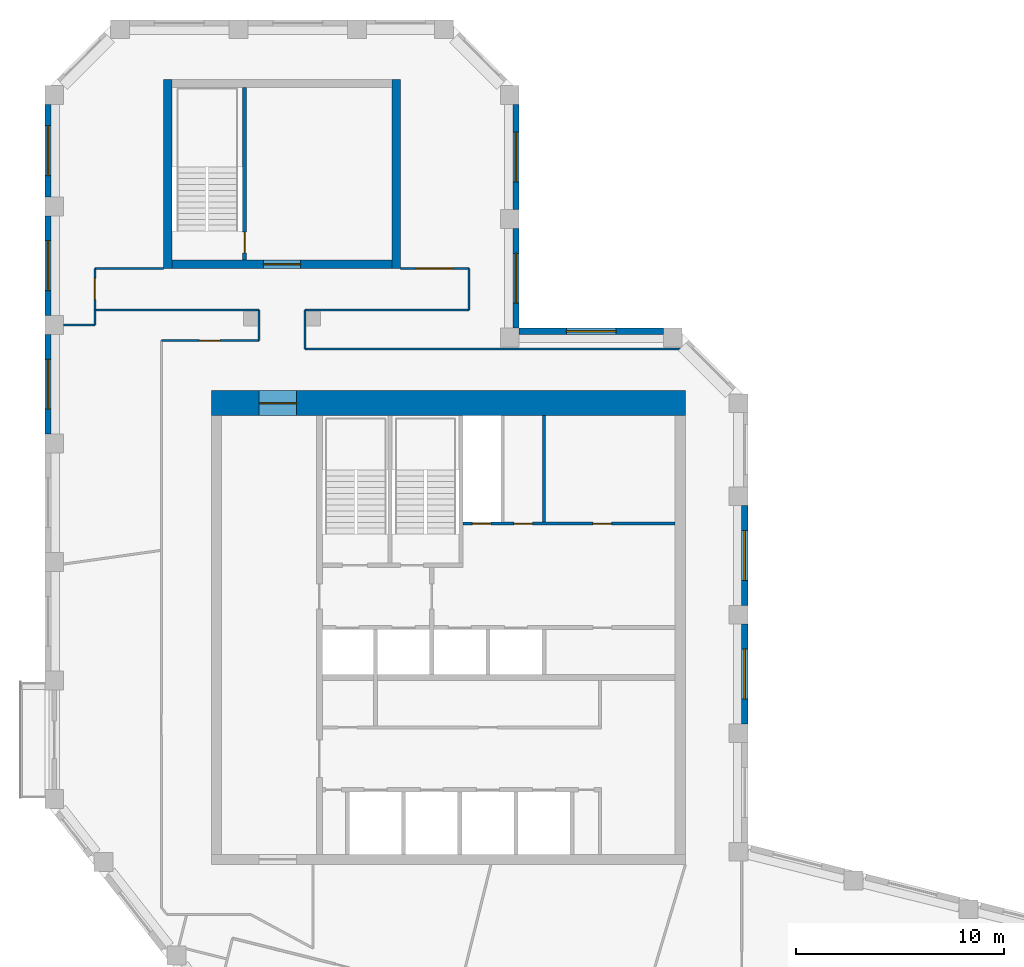
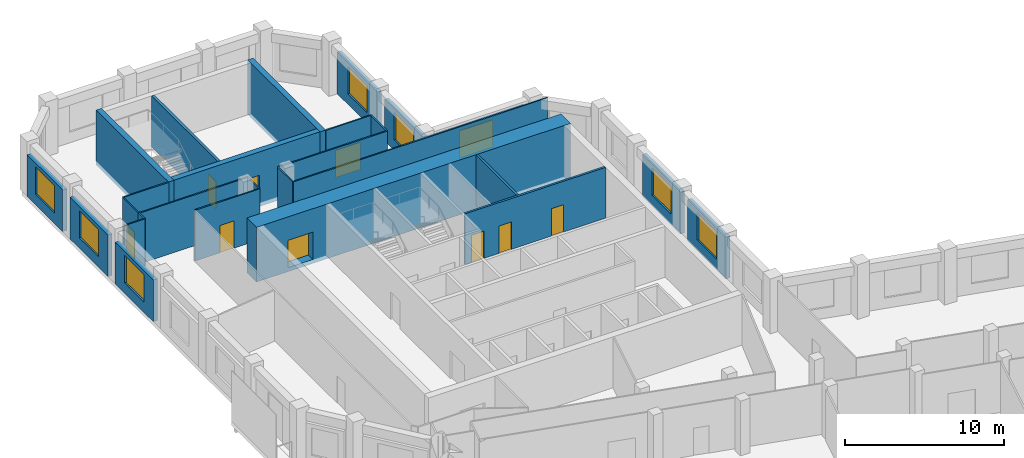
# One storey, part 6 of 8: 27 walls, 9 doors, 8 windows, 17 openings.
"""IFC4 building model written with IfcOpenShell, lengths in metres."""

from ifc_helpers import new_model, si_unit, direction, frame, frame_2d, origin, place, context, subcontext, project, spatial, rectangle, extrude, material, layer, layer_set, type_object, element, fill, save


model = new_model("IFC4")

# Units and contexts
model_context = context("Model", 3, precision=1e-05, world=origin(), true_north=direction((0.0, 1.0)))
body_context = subcontext(model_context, "Body", "Model", "MODEL_VIEW")
ifc_project = project(units=[si_unit("LENGTHUNIT", "METRE"), si_unit("AREAUNIT", "SQUARE_METRE"), si_unit("VOLUMEUNIT", "CUBIC_METRE"), si_unit("PLANEANGLEUNIT", "RADIAN"), si_unit("MASSUNIT", "GRAM", prefix="KILO")], contexts=[model_context])

# Site, building, storey
site_placement = place(None, origin())
site = spatial("IfcSite", under=ifc_project, at=site_placement, CompositionType="ELEMENT")
building_placement = place(site_placement, origin())
building = spatial("IfcBuilding", under=site, at=building_placement, Name="Meshkara Civic Tower", CompositionType="ELEMENT")
storey_placement = place(building_placement, frame((0.0, 0.0, 358.199951171875)))
storey = spatial("IfcBuildingStorey", under=building, at=storey_placement, Name="L82", CompositionType="ELEMENT", Elevation=358.199951171875)

# Wall, openings, doors
ifc_material_1 = material(Name="Blockwork", Category="masonry")
ifc_layer_1 = layer(ifc_material_1, 0.14990234375)
ifc_layer_set_1 = layer_set([ifc_layer_1], Name="Core partition 150")
wall_type_1 = type_object("IfcWallType", Name="Core partition 150", PredefinedType="PARTITIONING", material=ifc_layer_set_1)
wall_1_placement = place(storey_placement, frame((20.10009765625, 30.5, 0.0), z_axis=(0.0, 0.0, 1.0), x_axis=(1.0, 0.0, 0.0)))
wall_1 = element("IfcWall", 1, at=wall_1_placement, inside=storey, type_object=wall_type_1, Name="L82-C010", PredefinedType="PARTITIONING", context=body_context, shape_type="SweptSolid", body=[
    extrude(rectangle(XDim=10.199951171875, YDim=0.14990234375, at=frame_2d((5.10009765625, 0.0))), origin(), (0.0, 0.0, 1.0), 3.900146484375),
])
opening_1_placement = place(wall_1_placement, frame((0.449951171875, 0.0, 0.0)))
opening_1 = element("IfcOpeningElement", 2, at=opening_1_placement, cuts=wall_1, Name="Opening L82-K014", PredefinedType="OPENING", context=body_context, shape_type="SweptSolid", body=[
    extrude(rectangle(XDim=0.89990234375, YDim=2.10009765625, at=frame_2d((0.449951171875, 1.050048828125))), frame((0.0, 0.0849609375, 0.0), z_axis=(0.0, -1.0, 0.0), x_axis=(1.0, 0.0, 0.0)), (0.0, 0.0, 1.0), 0.169921875),
])
opening_2_placement = place(wall_1_placement, frame((2.449951171875, 0.0, 0.0)))
opening_2 = element("IfcOpeningElement", 3, at=opening_2_placement, cuts=wall_1, Name="Opening L82-K015", PredefinedType="OPENING", context=body_context, shape_type="SweptSolid", body=[
    extrude(rectangle(XDim=0.89990234375, YDim=2.10009765625, at=frame_2d((0.449951171875, 1.050048828125))), frame((0.0, 0.0849609375, 0.0), z_axis=(0.0, -1.0, 0.0), x_axis=(1.0, 0.0, 0.0)), (0.0, 0.0, 1.0), 0.169921875),
])
opening_3_placement = place(wall_1_placement, frame((6.25, 0.0, 0.0)))
opening_3 = element("IfcOpeningElement", 4, at=opening_3_placement, cuts=wall_1, Name="Opening L82-K016", PredefinedType="OPENING", context=body_context, shape_type="SweptSolid", body=[
    extrude(rectangle(XDim=0.89990234375, YDim=2.10009765625, at=frame_2d((0.449951171875, 1.050048828125))), frame((0.0, 0.0849609375, 0.0), z_axis=(0.0, -1.0, 0.0), x_axis=(1.0, 0.0, 0.0)), (0.0, 0.0, 1.0), 0.169921875),
])
ifc_material_2 = material(Name="Timber door leaf in steel frame", Category="steel")
door_type_1 = type_object("IfcDoorType", Name="Core room door 900", OperationType="SINGLE_SWING_LEFT", PredefinedType="DOOR", material=ifc_material_2)
door_1_placement = place(opening_3_placement, origin())
door_1 = element("IfcDoor", 5, at=door_1_placement, inside=storey, type_object=door_type_1, Name="L82-K016", OperationType="SINGLE_SWING_RIGHT", OverallHeight=2.10009765625, OverallWidth=0.89990234375, PredefinedType="DOOR", context=body_context, shape_type="SweptSolid", body=[
    extrude(rectangle(XDim=0.89990234375, YDim=2.10009765625, at=frame_2d((0.449951171875, 1.050048828125))), frame((0.0, 0.02490234375, 0.0), z_axis=(0.0, -1.0, 0.0), x_axis=(1.0, 0.0, 0.0)), (0.0, 0.0, 1.0), 0.050048828125),
])
fill(opening_3, door_1)
ifc_material_3 = material(Name="Fire-rated door leaf in steel frame", Category="steel")
door_type_2 = type_object("IfcDoorType", Name="Riser door 900", OperationType="SINGLE_SWING_LEFT", PredefinedType="DOOR", material=ifc_material_3)
door_2_placement = place(opening_1_placement, origin())
door_2 = element("IfcDoor", 6, at=door_2_placement, inside=storey, type_object=door_type_2, Name="L82-K014", OperationType="SINGLE_SWING_RIGHT", OverallHeight=2.10009765625, OverallWidth=0.89990234375, PredefinedType="DOOR", context=body_context, shape_type="SweptSolid", body=[
    extrude(rectangle(XDim=0.89990234375, YDim=2.10009765625, at=frame_2d((0.449951171875, 1.050048828125))), frame((0.0, 0.02490234375, 0.0), z_axis=(0.0, -1.0, 0.0), x_axis=(1.0, 0.0, 0.0)), (0.0, 0.0, 1.0), 0.050048828125),
])
fill(opening_1, door_2)
ifc_material_4 = material(Name="Timber door leaf in steel frame", Category="steel")
door_type_3 = type_object("IfcDoorType", Name="WC door 900", OperationType="SINGLE_SWING_LEFT", PredefinedType="DOOR", material=ifc_material_4)
door_3_placement = place(opening_2_placement, origin())
door_3 = element("IfcDoor", 7, at=door_3_placement, inside=storey, type_object=door_type_3, Name="L82-K015", OperationType="SINGLE_SWING_LEFT", OverallHeight=2.10009765625, OverallWidth=0.89990234375, PredefinedType="DOOR", context=body_context, shape_type="SweptSolid", body=[
    extrude(rectangle(XDim=0.89990234375, YDim=2.10009765625, at=frame_2d((0.449951171875, 1.050048828125))), frame((0.0, 0.02490234375, 0.0), z_axis=(0.0, -1.0, 0.0), x_axis=(1.0, 0.0, 0.0)), (0.0, 0.0, 1.0), 0.050048828125),
])
fill(opening_2, door_3)

# Wall
wall_2_placement = place(storey_placement, frame((24.0, 30.574951171875, 0.0), z_axis=(0.0, 0.0, 1.0), x_axis=(0.0, 1.0, 0.0)))
element("IfcWall", 8, at=wall_2_placement, inside=storey, type_object=wall_type_1, Name="L82-C023", PredefinedType="PARTITIONING", context=body_context, shape_type="SweptSolid", body=[
    extrude(rectangle(XDim=5.125, YDim=0.14990234375, at=frame_2d((2.5625, 0.0))), origin(), (0.0, 0.0, 1.0), 3.900146484375),
])

# Wall, opening, door
ifc_material_5 = material(Name="Concrete C50", Category="concrete")
ifc_layer_2 = layer(ifc_material_5, 1.199951171875)
ifc_layer_set_2 = layer_set([ifc_layer_2], Name="Core ring wall 1200 C50")
wall_type_2 = type_object("IfcWallType", Name="Core ring wall 1200 C50", PredefinedType="SHEAR", material=ifc_layer_set_2)
wall_3_placement = place(storey_placement, frame((8.0, 36.300048828125, -0.300048828125), z_axis=(0.0, 0.0, 1.0), x_axis=(1.0, 0.0, 0.0)))
wall_3 = element("IfcWall", 9, at=wall_3_placement, inside=storey, type_object=wall_type_2, Name="L82-C002", PredefinedType="SHEAR", context=body_context, shape_type="SweptSolid", body=[
    extrude(rectangle(XDim=22.800048828125, YDim=1.199951171875, at=frame_2d((11.39990234375, 0.0))), origin(), (0.0, 0.0, 1.0), 4.2001953125),
])
opening_4_placement = place(wall_3_placement, frame((2.300048828125, 0.0, 0.300048828125)))
opening_4 = element("IfcOpeningElement", 10, at=opening_4_placement, cuts=wall_3, Name="Opening L82-K022", PredefinedType="OPENING", context=body_context, shape_type="SweptSolid", body=[
    extrude(rectangle(XDim=1.800048828125, YDim=2.10009765625, at=frame_2d((0.89990234375, 1.050048828125))), frame((0.0, 0.60986328125, 0.0), z_axis=(0.0, -1.0, 0.0), x_axis=(1.0, 0.0, 0.0)), (0.0, 0.0, 1.0), 1.219970703125),
])
ifc_material_6 = material(Name="Fire-rated door leaf in steel frame", Category="steel")
door_type_4 = type_object("IfcDoorType", Name="Core double door 1800 EI 60", OperationType="DOUBLE_DOOR_SINGLE_SWING", PredefinedType="DOOR", material=ifc_material_6)
door_4_placement = place(opening_4_placement, origin())
door_4 = element("IfcDoor", 11, at=door_4_placement, inside=storey, type_object=door_type_4, Name="L82-K022", OperationType="DOUBLE_DOOR_SINGLE_SWING", OverallHeight=2.10009765625, OverallWidth=1.800048828125, PredefinedType="DOOR", context=body_context, shape_type="SweptSolid", body=[
    extrude(rectangle(XDim=1.800048828125, YDim=2.10009765625, at=frame_2d((0.89990234375, 1.050048828125))), frame((0.0, 0.02490234375, 0.0), z_axis=(0.0, -1.0, 0.0), x_axis=(1.0, 0.0, 0.0)), (0.0, 0.0, 1.0), 0.050048828125),
])
fill(opening_4, door_4)

# Wall
ifc_material_7 = material(Name="Corridor wall 100")
ifc_layer_3 = layer(ifc_material_7, 0.10009765625)
ifc_layer_set_3 = layer_set([ifc_layer_3], Name="Corridor wall 100")
wall_type_3 = type_object("IfcWallType", Name="Corridor wall 100", PredefinedType="PARTITIONING", material=ifc_layer_set_3)
wall_4_placement = place(storey_placement, frame((2.39990234375, 40.77001953125, 0.0), z_axis=(0.0, 0.0, 1.0), x_axis=(1.0, 0.0, 0.0)))
element("IfcWall", 12, at=wall_4_placement, inside=storey, type_object=wall_type_3, Name="L82-W001", PredefinedType="PARTITIONING", context=body_context, shape_type="SweptSolid", body=[
    extrude(rectangle(XDim=7.900146484375, YDim=0.10009765625, at=frame_2d((3.9501953125, 0.0))), origin(), (0.0, 0.0, 1.0), 3.900146484375),
])

# Wall, opening, door
wall_5_placement = place(storey_placement, frame((2.39990234375, 42.77001953125, 0.0), z_axis=(0.0, 0.0, 1.0), x_axis=(0.0, -1.0, 0.0)))
wall_5 = element("IfcWall", 13, at=wall_5_placement, inside=storey, type_object=wall_type_3, Name="L82-W002", PredefinedType="PARTITIONING", context=body_context, shape_type="SweptSolid", body=[
    extrude(rectangle(XDim=2.0, YDim=0.10009765625, at=frame_2d((1.0, 0.0))), origin(), (0.0, 0.0, 1.0), 3.900146484375),
])
opening_5_placement = place(wall_5_placement, frame((0.47998046875, 0.0, 0.0)))
opening_5 = element("IfcOpeningElement", 14, at=opening_5_placement, cuts=wall_5, Name="Opening L82-D012", PredefinedType="OPENING", context=body_context, shape_type="SweptSolid", body=[
    extrude(rectangle(XDim=1.0, YDim=2.10009765625, at=frame_2d((0.5, 1.050048828125))), frame((0.0, 0.06005859375, 0.0), z_axis=(0.0, -1.0, 0.0), x_axis=(1.0, 0.0, 0.0)), (0.0, 0.0, 1.0), 0.1201171875),
])
ifc_material_8 = material(Name="Door 1000 x 2100")
door_type_5 = type_object("IfcDoorType", Name="Door 1000 x 2100", OperationType="SINGLE_SWING_LEFT", PredefinedType="DOOR", material=ifc_material_8)
door_5_placement = place(opening_5_placement, origin())
door_5 = element("IfcDoor", 15, at=door_5_placement, inside=storey, type_object=door_type_5, Name="L82-D012", OperationType="SINGLE_SWING_RIGHT", OverallHeight=2.10009765625, OverallWidth=1.0, PredefinedType="DOOR", context=body_context, shape_type="SweptSolid", body=[
    extrude(rectangle(XDim=1.0, YDim=2.10009765625, at=frame_2d((0.5, 1.050048828125))), frame((0.0, 0.02490234375, 0.0), z_axis=(0.0, -1.0, 0.0), x_axis=(1.0, 0.0, 0.0)), (0.0, 0.0, 1.0), 0.050048828125),
])
fill(opening_5, door_5)

# Wall
wall_6_placement = place(storey_placement, frame((5.699951171875, 42.77001953125, 0.0), z_axis=(0.0, 0.0, 1.0), x_axis=(-1.0, 0.0, 0.0)))
element("IfcWall", 16, at=wall_6_placement, inside=storey, type_object=wall_type_3, Name="L82-W005", PredefinedType="PARTITIONING", context=body_context, shape_type="SweptSolid", body=[
    extrude(rectangle(XDim=3.300048828125, YDim=0.10009765625, at=frame_2d((1.64990234375, 0.0))), origin(), (0.0, 0.0, 1.0), 3.900146484375),
])

# Wall, opening, door
wall_7_placement = place(storey_placement, frame((10.300048828125, 39.300048828125, 0.0), z_axis=(0.0, 0.0, 1.0), x_axis=(-1.0, 0.0, 0.0)))
wall_7 = element("IfcWall", 17, at=wall_7_placement, inside=storey, type_object=wall_type_3, Name="L82-W011", PredefinedType="PARTITIONING", context=body_context, shape_type="SweptSolid", body=[
    extrude(rectangle(XDim=4.699951171875, YDim=0.10009765625, at=frame_2d((2.35009765625, 0.0))), origin(), (0.0, 0.0, 1.0), 3.900146484375),
])
opening_6_placement = place(wall_7_placement, frame((1.8798828125, 0.0, 0.0)))
opening_6 = element("IfcOpeningElement", 18, at=opening_6_placement, cuts=wall_7, Name="Opening L82-D013", PredefinedType="OPENING", context=body_context, shape_type="SweptSolid", body=[
    extrude(rectangle(XDim=1.0, YDim=2.10009765625, at=frame_2d((0.5, 1.050048828125))), frame((0.0, 0.06005859375, 0.0), z_axis=(0.0, -1.0, 0.0), x_axis=(1.0, 0.0, 0.0)), (0.0, 0.0, 1.0), 0.1201171875),
])
door_6_placement = place(opening_6_placement, origin())
door_6 = element("IfcDoor", 19, at=door_6_placement, inside=storey, type_object=door_type_5, Name="L82-D013", OperationType="SINGLE_SWING_LEFT", OverallHeight=2.10009765625, OverallWidth=1.0, PredefinedType="DOOR", context=body_context, shape_type="SweptSolid", body=[
    extrude(rectangle(XDim=1.0, YDim=2.10009765625, at=frame_2d((0.5, 1.050048828125))), frame((0.0, 0.02490234375, 0.0), z_axis=(0.0, -1.0, 0.0), x_axis=(1.0, 0.0, 0.0)), (0.0, 0.0, 1.0), 0.050048828125),
])
fill(opening_6, door_6)

# Walls
wall_8_placement = place(storey_placement, frame((10.300048828125, 40.77001953125, 0.0), z_axis=(0.0, 0.0, 1.0), x_axis=(0.0, -1.0, 0.0)))
element("IfcWall", 20, at=wall_8_placement, inside=storey, type_object=wall_type_3, Name="L82-W012", PredefinedType="PARTITIONING", context=body_context, shape_type="SweptSolid", body=[
    extrude(rectangle(XDim=1.469970703125, YDim=0.10009765625, at=frame_2d((0.73486328125, 0.0))), origin(), (0.0, 0.0, 1.0), 3.900146484375),
])
wall_9_placement = place(storey_placement, frame((12.5, 38.89990234375, 0.0), z_axis=(0.0, 0.0, 1.0), x_axis=(0.0, 1.0, 0.0)))
element("IfcWall", 21, at=wall_9_placement, inside=storey, type_object=wall_type_3, Name="L82-W013", PredefinedType="PARTITIONING", context=body_context, shape_type="SweptSolid", body=[
    extrude(rectangle(XDim=1.8701171875, YDim=0.10009765625, at=frame_2d((0.93505859375, 0.0))), origin(), (0.0, 0.0, 1.0), 3.900146484375),
])
wall_10_placement = place(storey_placement, frame((12.5, 40.77001953125, 0.0), z_axis=(0.0, 0.0, 1.0), x_axis=(1.0, 0.0, 0.0)))
element("IfcWall", 22, at=wall_10_placement, inside=storey, type_object=wall_type_3, Name="L82-W014", PredefinedType="PARTITIONING", context=body_context, shape_type="SweptSolid", body=[
    extrude(rectangle(XDim=7.89990234375, YDim=0.10009765625, at=frame_2d((3.949951171875, 0.0))), origin(), (0.0, 0.0, 1.0), 3.900146484375),
])
wall_11_placement = place(storey_placement, frame((20.39990234375, 40.77001953125, 0.0), z_axis=(0.0, 0.0, 1.0), x_axis=(0.0, 1.0, 0.0)))
element("IfcWall", 23, at=wall_11_placement, inside=storey, type_object=wall_type_3, Name="L82-W016", PredefinedType="PARTITIONING", context=body_context, shape_type="SweptSolid", body=[
    extrude(rectangle(XDim=2.0, YDim=0.10009765625, at=frame_2d((1.0, 0.0))), origin(), (0.0, 0.0, 1.0), 3.900146484375),
])

# Wall, opening, door
wall_12_placement = place(storey_placement, frame((20.39990234375, 42.77001953125, 0.0), z_axis=(0.0, 0.0, 1.0), x_axis=(-1.0, 0.0, 0.0)))
wall_12 = element("IfcWall", 24, at=wall_12_placement, inside=storey, type_object=wall_type_3, Name="L82-W017", PredefinedType="PARTITIONING", context=body_context, shape_type="SweptSolid", body=[
    extrude(rectangle(XDim=3.2998046875, YDim=0.10009765625, at=frame_2d((1.64990234375, 0.0))), origin(), (0.0, 0.0, 1.0), 3.900146484375),
])
opening_7_placement = place(wall_12_placement, frame((0.780029296875, 0.0, 0.0)))
opening_7 = element("IfcOpeningElement", 25, at=opening_7_placement, cuts=wall_12, Name="Opening L82-D014", PredefinedType="OPENING", context=body_context, shape_type="SweptSolid", body=[
    extrude(rectangle(XDim=1.800048828125, YDim=2.10009765625, at=frame_2d((0.89990234375, 1.050048828125))), frame((0.0, 0.06005859375, 0.0), z_axis=(0.0, -1.0, 0.0), x_axis=(1.0, 0.0, 0.0)), (0.0, 0.0, 1.0), 0.1201171875),
])
ifc_material_9 = material(Name="Door pair 1800 x 2100")
door_type_6 = type_object("IfcDoorType", Name="Door pair 1800 x 2100", OperationType="SINGLE_SWING_LEFT", PredefinedType="DOOR", material=ifc_material_9)
door_7_placement = place(opening_7_placement, origin())
door_7 = element("IfcDoor", 26, at=door_7_placement, inside=storey, type_object=door_type_6, Name="L82-D014", OperationType="DOUBLE_DOOR_SINGLE_SWING", OverallHeight=2.10009765625, OverallWidth=1.800048828125, PredefinedType="DOOR", context=body_context, shape_type="SweptSolid", body=[
    extrude(rectangle(XDim=1.800048828125, YDim=2.10009765625, at=frame_2d((0.89990234375, 1.050048828125))), frame((0.0, 0.02490234375, 0.0), z_axis=(0.0, -1.0, 0.0), x_axis=(1.0, 0.0, 0.0)), (0.0, 0.0, 1.0), 0.050048828125),
])
fill(opening_7, door_7)

# Wall
wall_13_placement = place(storey_placement, frame((30.9560546875, 38.89990234375, 0.0), z_axis=(0.0, 0.0, 1.0), x_axis=(-1.0, 0.0, 0.0)))
element("IfcWall", 27, at=wall_13_placement, inside=storey, type_object=wall_type_3, Name="L82-W019", PredefinedType="PARTITIONING", context=body_context, shape_type="SweptSolid", body=[
    extrude(rectangle(XDim=18.4560546875, YDim=0.10009765625, at=frame_2d((9.22802734375, 0.0))), origin(), (0.0, 0.0, 1.0), 3.900146484375),
])

# Wall, opening, window
ifc_material_10 = material(Name="Insulated infill panel with bronze anodised aluminium cladding", Category="aluminium")
ifc_layer_4 = layer(ifc_material_10, 0.300048828125)
ifc_layer_set_4 = layer_set([ifc_layer_4], Name="EXTERNAL INFILL WALL 300")
wall_type_4 = type_object("IfcWallType", Name="EXTERNAL INFILL WALL 300", PredefinedType="SOLIDWALL", material=ifc_layer_set_4)
wall_14_placement = place(storey_placement, frame((33.64990234375, 20.868896484375, 0.0), z_axis=(0.0, 0.0, 1.0), x_axis=(0.0, 1.0, 0.0)))
wall_14 = element("IfcWall", 28, at=wall_14_placement, inside=storey, type_object=wall_type_4, Name="External wall", PredefinedType="SOLIDWALL", context=body_context, shape_type="SweptSolid", body=[
    extrude(rectangle(XDim=4.800048828125, YDim=0.300048828125, at=frame_2d((2.39990234375, 0.0))), origin(), (0.0, 0.0, 1.0), 3.199951171875),
])
opening_8_placement = place(wall_14_placement, frame((1.199951171875, 0.0, 0.800048828125)))
opening_8 = element("IfcOpeningElement", 29, at=opening_8_placement, cuts=wall_14, Name="Opening W7", PredefinedType="OPENING", context=body_context, shape_type="SweptSolid", body=[
    extrude(rectangle(XDim=2.39990234375, YDim=2.10009765625, at=frame_2d((1.199951171875, 1.050048828125))), frame((0.0, 0.159912109375, 0.0), z_axis=(0.0, -1.0, 0.0), x_axis=(1.0, 0.0, 0.0)), (0.0, 0.0, 1.0), 0.320068359375),
])
ifc_material_11 = material(Name="Tinted double glazing", Category="glass")
window_type = type_object("IfcWindowType", Name="WINDOW 2400x2100", PartitioningType="DOUBLE_PANEL_VERTICAL", PredefinedType="WINDOW", material=ifc_material_11)
window_1_placement = place(opening_8_placement, origin())
window_1 = element("IfcWindow", 30, at=window_1_placement, inside=storey, type_object=window_type, Name="Window", OverallHeight=2.10009765625, OverallWidth=2.39990234375, PartitioningType="DOUBLE_PANEL_VERTICAL", PredefinedType="WINDOW", context=body_context, shape_type="SweptSolid", body=[
    extrude(rectangle(XDim=2.39990234375, YDim=2.10009765625, at=frame_2d((1.199951171875, 1.050048828125))), frame((0.0, 0.030029296875, 0.0), z_axis=(0.0, -1.0, 0.0), x_axis=(1.0, 0.0, 0.0)), (0.0, 0.0, 1.0), 0.06005859375),
])
fill(opening_8, window_1)

wall_15_placement = place(storey_placement, frame((33.64990234375, 26.569091796875, 0.0), z_axis=(0.0, 0.0, 1.0), x_axis=(0.0, 1.0, 0.0)))
wall_15 = element("IfcWall", 31, at=wall_15_placement, inside=storey, type_object=wall_type_4, Name="External wall", PredefinedType="SOLIDWALL", context=body_context, shape_type="SweptSolid", body=[
    extrude(rectangle(XDim=4.7998046875, YDim=0.300048828125, at=frame_2d((2.39990234375, 0.0))), origin(), (0.0, 0.0, 1.0), 3.199951171875),
])
opening_9_placement = place(wall_15_placement, frame((1.199951171875, 0.0, 0.800048828125)))
opening_9 = element("IfcOpeningElement", 32, at=opening_9_placement, cuts=wall_15, Name="Opening W7", PredefinedType="OPENING", context=body_context, shape_type="SweptSolid", body=[
    extrude(rectangle(XDim=2.39990234375, YDim=2.10009765625, at=frame_2d((1.199951171875, 1.050048828125))), frame((0.0, 0.159912109375, 0.0), z_axis=(0.0, -1.0, 0.0), x_axis=(1.0, 0.0, 0.0)), (0.0, 0.0, 1.0), 0.320068359375),
])
window_2_placement = place(opening_9_placement, origin())
window_2 = element("IfcWindow", 33, at=window_2_placement, inside=storey, type_object=window_type, Name="Window", OverallHeight=2.10009765625, OverallWidth=2.39990234375, PartitioningType="DOUBLE_PANEL_VERTICAL", PredefinedType="WINDOW", context=body_context, shape_type="SweptSolid", body=[
    extrude(rectangle(XDim=2.39990234375, YDim=2.10009765625, at=frame_2d((1.199951171875, 1.050048828125))), frame((0.0, 0.030029296875, 0.0), z_axis=(0.0, -1.0, 0.0), x_axis=(1.0, 0.0, 0.0)), (0.0, 0.0, 1.0), 0.06005859375),
])
fill(opening_9, window_2)

wall_16_placement = place(storey_placement, frame((29.743896484375, 39.75, 0.0), z_axis=(0.0, 0.0, 1.0), x_axis=(-1.0, 0.0, 0.0)))
wall_16 = element("IfcWall", 34, at=wall_16_placement, inside=storey, type_object=wall_type_4, Name="External wall", PredefinedType="SOLIDWALL", context=body_context, shape_type="SweptSolid", body=[
    extrude(rectangle(XDim=6.94384765625, YDim=0.300048828125, at=frame_2d((3.471923828125, 0.0))), origin(), (0.0, 0.0, 1.0), 3.199951171875),
])
opening_10_placement = place(wall_16_placement, frame((2.27197265625, 0.0, 0.800048828125)))
opening_10 = element("IfcOpeningElement", 35, at=opening_10_placement, cuts=wall_16, Name="Opening W7", PredefinedType="OPENING", context=body_context, shape_type="SweptSolid", body=[
    extrude(rectangle(XDim=2.39990234375, YDim=2.10009765625, at=frame_2d((1.199951171875, 1.050048828125))), frame((0.0, 0.159912109375, 0.0), z_axis=(0.0, -1.0, 0.0), x_axis=(1.0, 0.0, 0.0)), (0.0, 0.0, 1.0), 0.320068359375),
])
window_3_placement = place(opening_10_placement, origin())
window_3 = element("IfcWindow", 36, at=window_3_placement, inside=storey, type_object=window_type, Name="Window", OverallHeight=2.10009765625, OverallWidth=2.39990234375, PartitioningType="DOUBLE_PANEL_VERTICAL", PredefinedType="WINDOW", context=body_context, shape_type="SweptSolid", body=[
    extrude(rectangle(XDim=2.39990234375, YDim=2.10009765625, at=frame_2d((1.199951171875, 1.050048828125))), frame((0.0, 0.030029296875, 0.0), z_axis=(0.0, -1.0, 0.0), x_axis=(1.0, 0.0, 0.0)), (0.0, 0.0, 1.0), 0.06005859375),
])
fill(opening_10, window_3)

wall_17_placement = place(storey_placement, frame((22.64990234375, 39.89990234375, 0.0), z_axis=(0.0, 0.0, 1.0), x_axis=(0.0, 1.0, 0.0)))
wall_17 = element("IfcWall", 37, at=wall_17_placement, inside=storey, type_object=wall_type_4, Name="External wall", PredefinedType="SOLIDWALL", context=body_context, shape_type="SweptSolid", body=[
    extrude(rectangle(XDim=4.800048828125, YDim=0.300048828125, at=frame_2d((2.39990234375, 0.0))), origin(), (0.0, 0.0, 1.0), 3.199951171875),
])
opening_11_placement = place(wall_17_placement, frame((1.199951171875, 0.0, 0.800048828125)))
opening_11 = element("IfcOpeningElement", 38, at=opening_11_placement, cuts=wall_17, Name="Opening W7", PredefinedType="OPENING", context=body_context, shape_type="SweptSolid", body=[
    extrude(rectangle(XDim=2.39990234375, YDim=2.10009765625, at=frame_2d((1.199951171875, 1.050048828125))), frame((0.0, 0.159912109375, 0.0), z_axis=(0.0, -1.0, 0.0), x_axis=(1.0, 0.0, 0.0)), (0.0, 0.0, 1.0), 0.320068359375),
])
window_4_placement = place(opening_11_placement, origin())
window_4 = element("IfcWindow", 39, at=window_4_placement, inside=storey, type_object=window_type, Name="Window", OverallHeight=2.10009765625, OverallWidth=2.39990234375, PartitioningType="DOUBLE_PANEL_VERTICAL", PredefinedType="WINDOW", context=body_context, shape_type="SweptSolid", body=[
    extrude(rectangle(XDim=2.39990234375, YDim=2.10009765625, at=frame_2d((1.199951171875, 1.050048828125))), frame((0.0, 0.030029296875, 0.0), z_axis=(0.0, -1.0, 0.0), x_axis=(1.0, 0.0, 0.0)), (0.0, 0.0, 1.0), 0.06005859375),
])
fill(opening_11, window_4)

wall_18_placement = place(storey_placement, frame((22.64990234375, 45.60009765625, 0.0), z_axis=(0.0, 0.0, 1.0), x_axis=(0.0, 1.0, 0.0)))
wall_18 = element("IfcWall", 40, at=wall_18_placement, inside=storey, type_object=wall_type_4, Name="External wall", PredefinedType="SOLIDWALL", context=body_context, shape_type="SweptSolid", body=[
    extrude(rectangle(XDim=5.06396484375, YDim=0.300048828125, at=frame_2d((2.531982421875, 0.0))), origin(), (0.0, 0.0, 1.0), 3.199951171875),
])
opening_12_placement = place(wall_18_placement, frame((1.33203125, 0.0, 0.800048828125)))
opening_12 = element("IfcOpeningElement", 41, at=opening_12_placement, cuts=wall_18, Name="Opening W7", PredefinedType="OPENING", context=body_context, shape_type="SweptSolid", body=[
    extrude(rectangle(XDim=2.39990234375, YDim=2.10009765625, at=frame_2d((1.199951171875, 1.050048828125))), frame((0.0, 0.159912109375, 0.0), z_axis=(0.0, -1.0, 0.0), x_axis=(1.0, 0.0, 0.0)), (0.0, 0.0, 1.0), 0.320068359375),
])
window_5_placement = place(opening_12_placement, origin())
window_5 = element("IfcWindow", 42, at=window_5_placement, inside=storey, type_object=window_type, Name="Window", OverallHeight=2.10009765625, OverallWidth=2.39990234375, PartitioningType="DOUBLE_PANEL_VERTICAL", PredefinedType="WINDOW", context=body_context, shape_type="SweptSolid", body=[
    extrude(rectangle(XDim=2.39990234375, YDim=2.10009765625, at=frame_2d((1.199951171875, 1.050048828125))), frame((0.0, 0.030029296875, 0.0), z_axis=(0.0, -1.0, 0.0), x_axis=(1.0, 0.0, 0.0)), (0.0, 0.0, 1.0), 0.06005859375),
])
fill(opening_12, window_5)

wall_19_placement = place(storey_placement, frame((0.14990234375, 50.6640625, 0.0), z_axis=(0.0, 0.0, 1.0), x_axis=(0.0, -1.0, 0.0)))
wall_19 = element("IfcWall", 43, at=wall_19_placement, inside=storey, type_object=wall_type_4, Name="External wall", PredefinedType="SOLIDWALL", context=body_context, shape_type="SweptSolid", body=[
    extrude(rectangle(XDim=4.458984375, YDim=0.300048828125, at=frame_2d((2.2294921875, 0.0))), origin(), (0.0, 0.0, 1.0), 3.199951171875),
])
opening_13_placement = place(wall_19_placement, frame((1.029052734375, 0.0, 0.800048828125)))
opening_13 = element("IfcOpeningElement", 44, at=opening_13_placement, cuts=wall_19, Name="Opening W7", PredefinedType="OPENING", context=body_context, shape_type="SweptSolid", body=[
    extrude(rectangle(XDim=2.39990234375, YDim=2.10009765625, at=frame_2d((1.199951171875, 1.050048828125))), frame((0.0, 0.159912109375, 0.0), z_axis=(0.0, -1.0, 0.0), x_axis=(1.0, 0.0, 0.0)), (0.0, 0.0, 1.0), 0.320068359375),
])
window_6_placement = place(opening_13_placement, origin())
window_6 = element("IfcWindow", 45, at=window_6_placement, inside=storey, type_object=window_type, Name="Window", OverallHeight=2.10009765625, OverallWidth=2.39990234375, PartitioningType="DOUBLE_PANEL_VERTICAL", PredefinedType="WINDOW", context=body_context, shape_type="SweptSolid", body=[
    extrude(rectangle(XDim=2.39990234375, YDim=2.10009765625, at=frame_2d((1.199951171875, 1.050048828125))), frame((0.0, 0.030029296875, 0.0), z_axis=(0.0, -1.0, 0.0), x_axis=(1.0, 0.0, 0.0)), (0.0, 0.0, 1.0), 0.06005859375),
])
fill(opening_13, window_6)

wall_20_placement = place(storey_placement, frame((0.14990234375, 45.304931640625, 0.0), z_axis=(0.0, 0.0, 1.0), x_axis=(0.0, -1.0, 0.0)))
wall_20 = element("IfcWall", 46, at=wall_20_placement, inside=storey, type_object=wall_type_4, Name="External wall", PredefinedType="SOLIDWALL", context=body_context, shape_type="SweptSolid", body=[
    extrude(rectangle(XDim=4.800048828125, YDim=0.300048828125, at=frame_2d((2.39990234375, 0.0))), origin(), (0.0, 0.0, 1.0), 3.199951171875),
])
opening_14_placement = place(wall_20_placement, frame((1.199951171875, 0.0, 0.800048828125)))
opening_14 = element("IfcOpeningElement", 47, at=opening_14_placement, cuts=wall_20, Name="Opening W7", PredefinedType="OPENING", context=body_context, shape_type="SweptSolid", body=[
    extrude(rectangle(XDim=2.39990234375, YDim=2.10009765625, at=frame_2d((1.199951171875, 1.050048828125))), frame((0.0, 0.159912109375, 0.0), z_axis=(0.0, -1.0, 0.0), x_axis=(1.0, 0.0, 0.0)), (0.0, 0.0, 1.0), 0.320068359375),
])
window_7_placement = place(opening_14_placement, origin())
window_7 = element("IfcWindow", 48, at=window_7_placement, inside=storey, type_object=window_type, Name="Window", OverallHeight=2.10009765625, OverallWidth=2.39990234375, PartitioningType="DOUBLE_PANEL_VERTICAL", PredefinedType="WINDOW", context=body_context, shape_type="SweptSolid", body=[
    extrude(rectangle(XDim=2.39990234375, YDim=2.10009765625, at=frame_2d((1.199951171875, 1.050048828125))), frame((0.0, 0.030029296875, 0.0), z_axis=(0.0, -1.0, 0.0), x_axis=(1.0, 0.0, 0.0)), (0.0, 0.0, 1.0), 0.06005859375),
])
fill(opening_14, window_7)

wall_21_placement = place(storey_placement, frame((0.14990234375, 39.60498046875, 0.0), z_axis=(0.0, 0.0, 1.0), x_axis=(0.0, -1.0, 0.0)))
wall_21 = element("IfcWall", 49, at=wall_21_placement, inside=storey, type_object=wall_type_4, Name="External wall", PredefinedType="SOLIDWALL", context=body_context, shape_type="SweptSolid", body=[
    extrude(rectangle(XDim=4.800048828125, YDim=0.300048828125, at=frame_2d((2.39990234375, 0.0))), origin(), (0.0, 0.0, 1.0), 3.199951171875),
])
opening_15_placement = place(wall_21_placement, frame((1.199951171875, 0.0, 0.800048828125)))
opening_15 = element("IfcOpeningElement", 50, at=opening_15_placement, cuts=wall_21, Name="Opening W7", PredefinedType="OPENING", context=body_context, shape_type="SweptSolid", body=[
    extrude(rectangle(XDim=2.39990234375, YDim=2.10009765625, at=frame_2d((1.199951171875, 1.050048828125))), frame((0.0, 0.159912109375, 0.0), z_axis=(0.0, -1.0, 0.0), x_axis=(1.0, 0.0, 0.0)), (0.0, 0.0, 1.0), 0.320068359375),
])
window_8_placement = place(opening_15_placement, origin())
window_8 = element("IfcWindow", 51, at=window_8_placement, inside=storey, type_object=window_type, Name="Window", OverallHeight=2.10009765625, OverallWidth=2.39990234375, PartitioningType="DOUBLE_PANEL_VERTICAL", PredefinedType="WINDOW", context=body_context, shape_type="SweptSolid", body=[
    extrude(rectangle(XDim=2.39990234375, YDim=2.10009765625, at=frame_2d((1.199951171875, 1.050048828125))), frame((0.0, 0.030029296875, 0.0), z_axis=(0.0, -1.0, 0.0), x_axis=(1.0, 0.0, 0.0)), (0.0, 0.0, 1.0), 0.06005859375),
])
fill(opening_15, window_8)

# Walls
ifc_material_12 = material(Name="Concrete C50", Category="concrete")
ifc_layer_5 = layer(ifc_material_12, 0.39990234375)
ifc_layer_set_5 = layer_set([ifc_layer_5], Name="End core ring wall 400 C50")
wall_type_5 = type_object("IfcWallType", Name="End core ring wall 400 C50", PredefinedType="SHEAR", material=ifc_layer_set_5)
for number, where, z_axis, x_axis, name in (
    (52, (5.89990234375, 42.77001953125, -0.300048828125), (0.0, 0.0, 1.0), (0.0, 1.0, 0.0), "L82-C027"),
    (53, (16.89990234375, 42.77001953125, -0.300048828125), (0.0, 0.0, 1.0), (0.0, 1.0, 0.0), "L82-C028"),
):
    element("IfcWall", number, at=place(storey_placement, frame(where, z_axis=z_axis, x_axis=x_axis)), inside=storey, type_object=wall_type_5, Name=name, PredefinedType="SHEAR", context=body_context, shape_type="SweptSolid", body=[
        extrude(rectangle(XDim=9.10009765625, YDim=0.39990234375, at=frame_2d((4.550048828125, 0.0))), origin(), (0.0, 0.0, 1.0), 4.2001953125),
    ])

# Wall, opening, door
wall_22_placement = place(storey_placement, frame((6.10009765625, 42.969970703125, -0.300048828125), z_axis=(0.0, 0.0, 1.0), x_axis=(1.0, 0.0, 0.0)))
wall_22 = element("IfcWall", 54, at=wall_22_placement, inside=storey, type_object=wall_type_5, Name="L82-C029", PredefinedType="SHEAR", context=body_context, shape_type="SweptSolid", body=[
    extrude(rectangle(XDim=10.599853515625, YDim=0.39990234375, at=frame_2d((5.2998046875, 0.0))), origin(), (0.0, 0.0, 1.0), 4.2001953125),
])
opening_16_placement = place(wall_22_placement, frame((4.39990234375, 0.0, 0.300048828125)))
opening_16 = element("IfcOpeningElement", 55, at=opening_16_placement, cuts=wall_22, Name="Opening L82-K102", PredefinedType="OPENING", context=body_context, shape_type="SweptSolid", body=[
    extrude(rectangle(XDim=1.800048828125, YDim=2.10009765625, at=frame_2d((0.89990234375, 1.050048828125))), frame((0.0, 0.2099609375, 0.0), z_axis=(0.0, -1.0, 0.0), x_axis=(1.0, 0.0, 0.0)), (0.0, 0.0, 1.0), 0.419921875),
])
door_8_placement = place(opening_16_placement, origin())
door_8 = element("IfcDoor", 56, at=door_8_placement, inside=storey, type_object=door_type_4, Name="L82-K102", OperationType="DOUBLE_DOOR_SINGLE_SWING", OverallHeight=2.10009765625, OverallWidth=1.800048828125, PredefinedType="DOOR", context=body_context, shape_type="SweptSolid", body=[
    extrude(rectangle(XDim=1.800048828125, YDim=2.10009765625, at=frame_2d((0.89990234375, 1.050048828125))), frame((0.0, 0.02490234375, 0.0), z_axis=(0.0, -1.0, 0.0), x_axis=(1.0, 0.0, 0.0)), (0.0, 0.0, 1.0), 0.050048828125),
])
fill(opening_16, door_8)

# Walls
ifc_material_13 = material(Name="Partition 100")
ifc_layer_6 = layer(ifc_material_13, 0.10009765625)
ifc_layer_set_6 = layer_set([ifc_layer_6], Name="Partition 100")
wall_type_6 = type_object("IfcWallType", Name="Partition 100", PredefinedType="PARTITIONING", material=ifc_layer_set_6)
wall_23_placement = place(storey_placement, frame((2.39990234375, 40.054931640625, 0.0), z_axis=(0.0, 0.0, 1.0), x_axis=(-1.0, 0.0, 0.0)))
element("IfcWall", 57, at=wall_23_placement, inside=storey, type_object=wall_type_6, Name="L82-W032", PredefinedType="PARTITIONING", context=body_context, shape_type="SweptSolid", body=[
    extrude(rectangle(XDim=1.5, YDim=0.10009765625, at=frame_2d((0.75, 0.0))), origin(), (0.0, 0.0, 1.0), 3.900146484375),
])
wall_24_placement = place(storey_placement, frame((2.39990234375, 40.77392578125, 0.0), z_axis=(0.0, 0.0, 1.0), x_axis=(0.0, -1.0, 0.0)))
element("IfcWall", 58, at=wall_24_placement, inside=storey, type_object=wall_type_6, Name="L82-W033", PredefinedType="PARTITIONING", context=body_context, shape_type="SweptSolid", body=[
    extrude(rectangle(XDim=0.718994140625, YDim=0.10009765625, at=frame_2d((0.359375, 0.0))), origin(), (0.0, 0.0, 1.0), 3.900146484375),
])

# Wall, opening, door
ifc_material_14 = material(Name="Concrete C40/50", Category="concrete")
ifc_layer_7 = layer(ifc_material_14, 0.199951171875)
ifc_layer_set_7 = layer_set([ifc_layer_7], Name="Stair enclosure wall 200 C40/50")
wall_type_7 = type_object("IfcWallType", Name="Stair enclosure wall 200 C40/50", PredefinedType="SOLIDWALL", material=ifc_layer_set_7)
wall_25_placement = place(storey_placement, frame((9.60009765625, 43.169921875, 0.0), z_axis=(0.0, 0.0, 1.0), x_axis=(0.0, 1.0, 0.0)))
wall_25 = element("IfcWall", 59, at=wall_25_placement, inside=storey, type_object=wall_type_7, Name="L82-C031", PredefinedType="SOLIDWALL", context=body_context, shape_type="SweptSolid", body=[
    extrude(rectangle(XDim=8.300048828125, YDim=0.199951171875, at=frame_2d((4.14990234375, 0.0))), origin(), (0.0, 0.0, 1.0), 3.900146484375),
])
opening_17_placement = place(wall_25_placement, frame((0.35009765625, 0.0, 0.0)))
opening_17 = element("IfcOpeningElement", 60, at=opening_17_placement, cuts=wall_25, Name="Opening L82-K101", PredefinedType="OPENING", context=body_context, shape_type="SweptSolid", body=[
    extrude(rectangle(XDim=1.0, YDim=2.10009765625, at=frame_2d((0.5, 1.050048828125))), frame((0.0, 0.10986328125, 0.0), z_axis=(0.0, -1.0, 0.0), x_axis=(1.0, 0.0, 0.0)), (0.0, 0.0, 1.0), 0.219970703125),
])
ifc_material_15 = material(Name="Fire-rated door leaf in steel frame", Category="steel")
door_type_7 = type_object("IfcDoorType", Name="Stair door 1000 EI 120", OperationType="SINGLE_SWING_LEFT", PredefinedType="DOOR", material=ifc_material_15)
door_9_placement = place(opening_17_placement, origin())
door_9 = element("IfcDoor", 61, at=door_9_placement, inside=storey, type_object=door_type_7, Name="L82-K101", OperationType="SINGLE_SWING_RIGHT", OverallHeight=2.10009765625, OverallWidth=1.0, PredefinedType="DOOR", context=body_context, shape_type="SweptSolid", body=[
    extrude(rectangle(XDim=1.0, YDim=2.10009765625, at=frame_2d((0.5, 1.050048828125))), frame((0.0, 0.02490234375, 0.0), z_axis=(0.0, -1.0, 0.0), x_axis=(1.0, 0.0, 0.0)), (0.0, 0.0, 1.0), 0.050048828125),
])
fill(opening_17, door_9)

save(model, "model.ifc")
